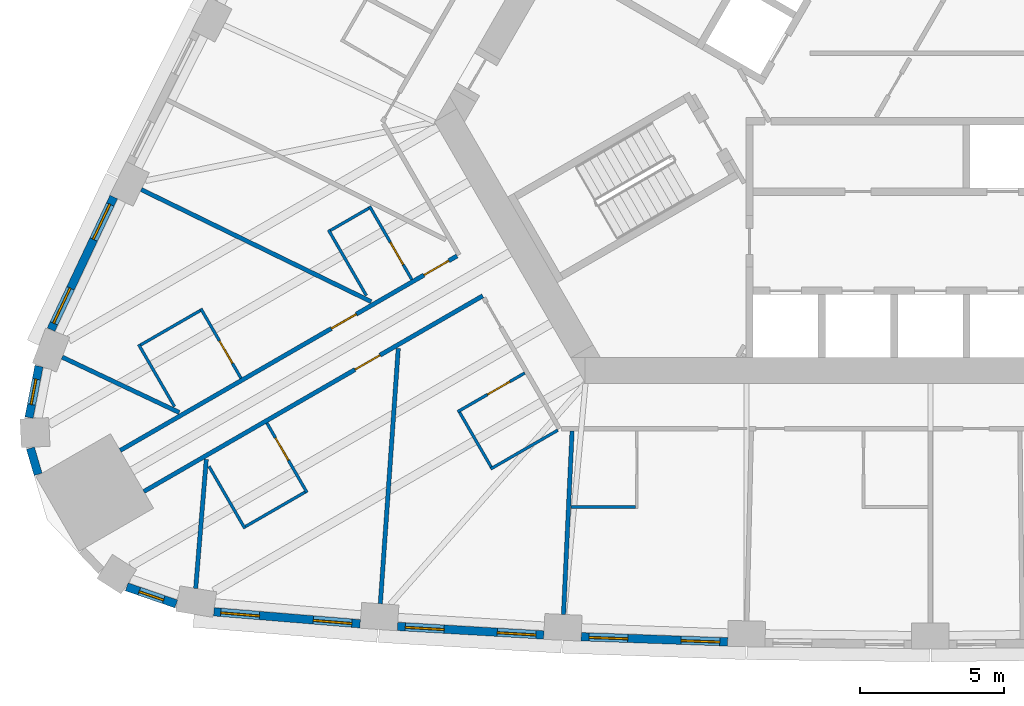
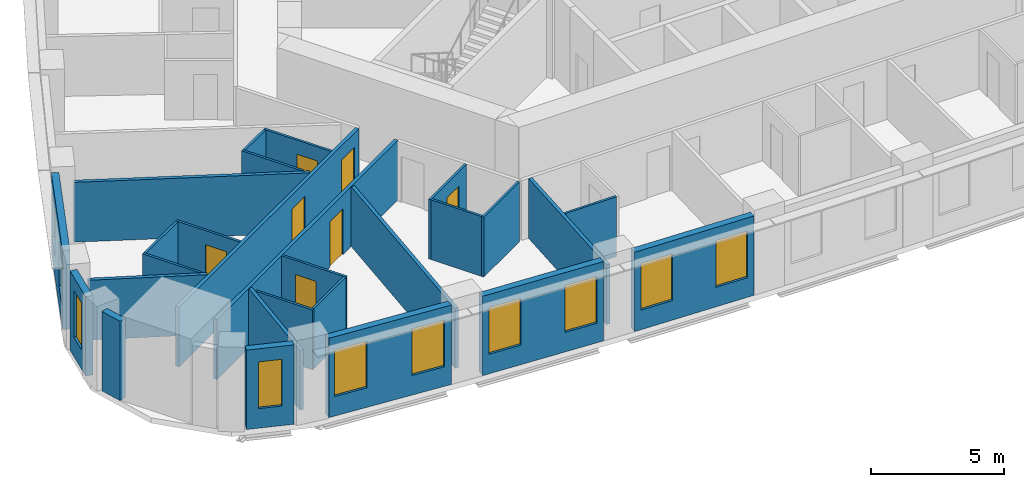
# One storey, part 3 of 13: 27 walls, 10 windows, 7 doors, 17 openings.
"""IFC4 building model written with IfcOpenShell, lengths in metres."""

from ifc_helpers import new_model, si_unit, direction, frame, frame_2d, origin, place, context, subcontext, project, spatial, rectangle, extrude, material, layer, layer_set, type_object, element, fill, save


model = new_model("IFC4")

# Units and contexts
model_context = context("Model", 3, precision=1e-05, world=origin(), true_north=direction((0.0, 1.0)))
body_context = subcontext(model_context, "Body", "Model", "MODEL_VIEW")
ifc_project = project(units=[si_unit("LENGTHUNIT", "METRE"), si_unit("AREAUNIT", "SQUARE_METRE"), si_unit("VOLUMEUNIT", "CUBIC_METRE"), si_unit("PLANEANGLEUNIT", "RADIAN"), si_unit("MASSUNIT", "GRAM", prefix="KILO")], contexts=[model_context])

# Site, building, storey
site_placement = place(None, origin())
site = spatial("IfcSite", under=ifc_project, at=site_placement, CompositionType="ELEMENT")
building_placement = place(site_placement, origin())
building = spatial("IfcBuilding", under=site, at=building_placement, Name="Mestral Congress Tower", CompositionType="ELEMENT")
storey_placement = place(building_placement, frame((0.0, 0.0, 91.5)))
storey = spatial("IfcBuildingStorey", under=building, at=storey_placement, Name="L21", CompositionType="ELEMENT", Elevation=91.5)

# Wall, openings, windows
ifc_material_1 = material(Name="Precast concrete C40/50 with limestone facing", Category="masonry")
ifc_layer_1 = layer(ifc_material_1, 0.2900390625)
ifc_layer_set_1 = layer_set([ifc_layer_1], Name="Precast concrete C40/50 with limestone facing")
wall_type_1 = type_object("IfcWallType", Name="Facade stone wall 290", PredefinedType="SOLIDWALL", material=ifc_layer_set_1)
wall_1_placement = place(storey_placement, frame((-24.9462890625, -20.95361328125, 0.0), z_axis=(0.0, 0.0, 1.0), x_axis=(0.99665273362, -0.081751627308, 0.0)))
wall_1 = element("IfcWall", 1, at=wall_1_placement, inside=storey, type_object=wall_type_1, Name="Facade wall F0-00", PredefinedType="SOLIDWALL", context=body_context, shape_type="SweptSolid", body=[
    extrude(rectangle(XDim=5.106689453125, YDim=0.2900390625, at=frame_2d((2.55322265625, 0.0))), origin(), (0.0, 0.0, 1.0), 3.64990234375),
])
opening_1_placement = place(wall_1_placement, frame((0.240478515625, 0.0, 0.89990234375)))
opening_1 = element("IfcOpeningElement", 2, at=opening_1_placement, cuts=wall_1, Name="Opening W2", PredefinedType="OPENING", context=body_context, shape_type="SweptSolid", body=[
    extrude(rectangle(XDim=1.35009765625, YDim=2.14990234375, at=frame_2d((0.675048828125, 1.074951171875))), frame((0.0, 0.155029296875, 0.0), z_axis=(0.0, -1.0, 0.0), x_axis=(1.0, 0.0, 0.0)), (0.0, 0.0, 1.0), 0.31005859375),
])
opening_2_placement = place(wall_1_placement, frame((3.47119140625, 0.0, 0.89990234375)))
opening_2 = element("IfcOpeningElement", 3, at=opening_2_placement, cuts=wall_1, Name="Opening W2", PredefinedType="OPENING", context=body_context, shape_type="SweptSolid", body=[
    extrude(rectangle(XDim=1.35009765625, YDim=2.14990234375, at=frame_2d((0.675048828125, 1.074951171875))), frame((0.0, 0.155029296875, 0.0), z_axis=(0.0, -1.0, 0.0), x_axis=(1.0, 0.0, 0.0)), (0.0, 0.0, 1.0), 0.31005859375),
])
ifc_material_2 = material(Name="Clear low-emissivity double glazing", Category="glass")
window_type_1 = type_object("IfcWindowType", Name="Facade punched window 1350 x 2150 sill 900", PartitioningType="DOUBLE_PANEL_VERTICAL", PredefinedType="WINDOW", material=ifc_material_2)
window_1_placement = place(opening_1_placement, origin())
window_1 = element("IfcWindow", 4, at=window_1_placement, inside=storey, type_object=window_type_1, Name="Window F0-00a", OverallHeight=2.14990234375, OverallWidth=1.35009765625, PartitioningType="DOUBLE_PANEL_VERTICAL", PredefinedType="WINDOW", context=body_context, shape_type="SweptSolid", body=[
    extrude(rectangle(XDim=1.35009765625, YDim=2.14990234375, at=frame_2d((0.675048828125, 1.074951171875))), frame((0.0, 0.01513671875, 0.0), z_axis=(0.0, -1.0, 0.0), x_axis=(1.0, 0.0, 0.0)), (0.0, 0.0, 1.0), 0.06005859375),
])
fill(opening_1, window_1)
window_2_placement = place(opening_2_placement, origin())
window_2 = element("IfcWindow", 5, at=window_2_placement, inside=storey, type_object=window_type_1, Name="Window F0-00b", OverallHeight=2.14990234375, OverallWidth=1.35009765625, PartitioningType="DOUBLE_PANEL_VERTICAL", PredefinedType="WINDOW", context=body_context, shape_type="SweptSolid", body=[
    extrude(rectangle(XDim=1.35009765625, YDim=2.14990234375, at=frame_2d((0.675048828125, 1.074951171875))), frame((0.0, 0.01513671875, 0.0), z_axis=(0.0, -1.0, 0.0), x_axis=(1.0, 0.0, 0.0)), (0.0, 0.0, 1.0), 0.06005859375),
])
fill(opening_2, window_2)

wall_2_placement = place(storey_placement, frame((-18.553466796875, -21.462890625, 0.0), z_axis=(0.0, 0.0, 1.0), x_axis=(0.998290511436, -0.058447025388, 0.0)))
wall_2 = element("IfcWall", 6, at=wall_2_placement, inside=storey, type_object=wall_type_1, Name="Facade wall F0-01", PredefinedType="SOLIDWALL", context=body_context, shape_type="SweptSolid", body=[
    extrude(rectangle(XDim=5.100341796875, YDim=0.2900390625, at=frame_2d((2.55029296875, 0.0))), origin(), (0.0, 0.0, 1.0), 3.64990234375),
])
opening_3_placement = place(wall_2_placement, frame((0.272705078125, 0.0, 0.89990234375)))
opening_3 = element("IfcOpeningElement", 7, at=opening_3_placement, cuts=wall_2, Name="Opening W2", PredefinedType="OPENING", context=body_context, shape_type="SweptSolid", body=[
    extrude(rectangle(XDim=1.35009765625, YDim=2.14990234375, at=frame_2d((0.675048828125, 1.074951171875))), frame((0.0, 0.155029296875, 0.0), z_axis=(0.0, -1.0, 0.0), x_axis=(1.0, 0.0, 0.0)), (0.0, 0.0, 1.0), 0.31005859375),
])
opening_4_placement = place(wall_2_placement, frame((3.477783203125, 0.0, 0.89990234375)))
opening_4 = element("IfcOpeningElement", 8, at=opening_4_placement, cuts=wall_2, Name="Opening W2", PredefinedType="OPENING", context=body_context, shape_type="SweptSolid", body=[
    extrude(rectangle(XDim=1.35009765625, YDim=2.14990234375, at=frame_2d((0.675048828125, 1.074951171875))), frame((0.0, 0.155029296875, 0.0), z_axis=(0.0, -1.0, 0.0), x_axis=(1.0, 0.0, 0.0)), (0.0, 0.0, 1.0), 0.31005859375),
])
window_3_placement = place(opening_3_placement, origin())
window_3 = element("IfcWindow", 9, at=window_3_placement, inside=storey, type_object=window_type_1, Name="Window F0-01a", OverallHeight=2.14990234375, OverallWidth=1.35009765625, PartitioningType="DOUBLE_PANEL_VERTICAL", PredefinedType="WINDOW", context=body_context, shape_type="SweptSolid", body=[
    extrude(rectangle(XDim=1.35009765625, YDim=2.14990234375, at=frame_2d((0.675048828125, 1.074951171875))), frame((0.0, 0.01513671875, 0.0), z_axis=(0.0, -1.0, 0.0), x_axis=(1.0, 0.0, 0.0)), (0.0, 0.0, 1.0), 0.06005859375),
])
fill(opening_3, window_3)
window_4_placement = place(opening_4_placement, origin())
window_4 = element("IfcWindow", 10, at=window_4_placement, inside=storey, type_object=window_type_1, Name="Window F0-01b", OverallHeight=2.14990234375, OverallWidth=1.35009765625, PartitioningType="DOUBLE_PANEL_VERTICAL", PredefinedType="WINDOW", context=body_context, shape_type="SweptSolid", body=[
    extrude(rectangle(XDim=1.35009765625, YDim=2.14990234375, at=frame_2d((0.675048828125, 1.074951171875))), frame((0.0, 0.01513671875, 0.0), z_axis=(0.0, -1.0, 0.0), x_axis=(1.0, 0.0, 0.0)), (0.0, 0.0, 1.0), 0.06005859375),
])
fill(opening_4, window_4)

wall_3_placement = place(storey_placement, frame((-12.15673828125, -21.822021484375, 0.0), z_axis=(0.0, 0.0, 1.0), x_axis=(0.999385993957, -0.035037623812, 0.0)))
wall_3 = element("IfcWall", 11, at=wall_3_placement, inside=storey, type_object=wall_type_1, Name="Facade wall F0-02", PredefinedType="SOLIDWALL", context=body_context, shape_type="SweptSolid", body=[
    extrude(rectangle(XDim=5.1005859375, YDim=0.2900390625, at=frame_2d((2.55029296875, 0.0))), origin(), (0.0, 0.0, 1.0), 3.64990234375),
])
opening_5_placement = place(wall_3_placement, frame((0.272705078125, 0.0, 0.89990234375)))
opening_5 = element("IfcOpeningElement", 12, at=opening_5_placement, cuts=wall_3, Name="Opening W2", PredefinedType="OPENING", context=body_context, shape_type="SweptSolid", body=[
    extrude(rectangle(XDim=1.35009765625, YDim=2.14990234375, at=frame_2d((0.675048828125, 1.074951171875))), frame((0.0, 0.155029296875, 0.0), z_axis=(0.0, -1.0, 0.0), x_axis=(1.0, 0.0, 0.0)), (0.0, 0.0, 1.0), 0.31005859375),
])
opening_6_placement = place(wall_3_placement, frame((3.477783203125, 0.0, 0.89990234375)))
opening_6 = element("IfcOpeningElement", 13, at=opening_6_placement, cuts=wall_3, Name="Opening W2", PredefinedType="OPENING", context=body_context, shape_type="SweptSolid", body=[
    extrude(rectangle(XDim=1.35009765625, YDim=2.14990234375, at=frame_2d((0.675048828125, 1.074951171875))), frame((0.0, 0.155029296875, 0.0), z_axis=(0.0, -1.0, 0.0), x_axis=(1.0, 0.0, 0.0)), (0.0, 0.0, 1.0), 0.31005859375),
])
window_5_placement = place(opening_5_placement, origin())
window_5 = element("IfcWindow", 14, at=window_5_placement, inside=storey, type_object=window_type_1, Name="Window F0-02a", OverallHeight=2.14990234375, OverallWidth=1.35009765625, PartitioningType="DOUBLE_PANEL_VERTICAL", PredefinedType="WINDOW", context=body_context, shape_type="SweptSolid", body=[
    extrude(rectangle(XDim=1.35009765625, YDim=2.14990234375, at=frame_2d((0.675048828125, 1.074951171875))), frame((0.0, 0.01513671875, 0.0), z_axis=(0.0, -1.0, 0.0), x_axis=(1.0, 0.0, 0.0)), (0.0, 0.0, 1.0), 0.06005859375),
])
fill(opening_5, window_5)
window_6_placement = place(opening_6_placement, origin())
window_6 = element("IfcWindow", 15, at=window_6_placement, inside=storey, type_object=window_type_1, Name="Window F0-02b", OverallHeight=2.14990234375, OverallWidth=1.35009765625, PartitioningType="DOUBLE_PANEL_VERTICAL", PredefinedType="WINDOW", context=body_context, shape_type="SweptSolid", body=[
    extrude(rectangle(XDim=1.35009765625, YDim=2.14990234375, at=frame_2d((0.675048828125, 1.074951171875))), frame((0.0, 0.01513671875, 0.0), z_axis=(0.0, -1.0, 0.0), x_axis=(1.0, 0.0, 0.0)), (0.0, 0.0, 1.0), 0.06005859375),
])
fill(opening_6, window_6)

wall_4_placement = place(storey_placement, frame((-28.436279296875, -6.5107421875, 0.0), z_axis=(0.0, 0.0, 1.0), x_axis=(-0.427543726596, -0.903994669148, 0.0)))
wall_4 = element("IfcWall", 16, at=wall_4_placement, inside=storey, type_object=wall_type_1, Name="Facade wall F2-07", PredefinedType="SOLIDWALL", context=body_context, shape_type="SweptSolid", body=[
    extrude(rectangle(XDim=5.106689453125, YDim=0.2900390625, at=frame_2d((2.55322265625, 0.0))), origin(), (0.0, 0.0, 1.0), 3.64990234375),
])
opening_7_placement = place(wall_4_placement, frame((0.285400390625, 0.0, 0.89990234375)))
opening_7 = element("IfcOpeningElement", 17, at=opening_7_placement, cuts=wall_4, Name="Opening W2", PredefinedType="OPENING", context=body_context, shape_type="SweptSolid", body=[
    extrude(rectangle(XDim=1.35009765625, YDim=2.14990234375, at=frame_2d((0.675048828125, 1.074951171875))), frame((0.0, 0.155029296875, 0.0), z_axis=(0.0, -1.0, 0.0), x_axis=(1.0, 0.0, 0.0)), (0.0, 0.0, 1.0), 0.31005859375),
])
opening_8_placement = place(wall_4_placement, frame((3.516357421875, 0.0, 0.89990234375)))
opening_8 = element("IfcOpeningElement", 18, at=opening_8_placement, cuts=wall_4, Name="Opening W2", PredefinedType="OPENING", context=body_context, shape_type="SweptSolid", body=[
    extrude(rectangle(XDim=1.35009765625, YDim=2.14990234375, at=frame_2d((0.675048828125, 1.074951171875))), frame((0.0, 0.155029296875, 0.0), z_axis=(0.0, -1.0, 0.0), x_axis=(1.0, 0.0, 0.0)), (0.0, 0.0, 1.0), 0.31005859375),
])
window_7_placement = place(opening_7_placement, origin())
window_7 = element("IfcWindow", 19, at=window_7_placement, inside=storey, type_object=window_type_1, Name="Window F2-07a", OverallHeight=2.14990234375, OverallWidth=1.35009765625, PartitioningType="DOUBLE_PANEL_VERTICAL", PredefinedType="WINDOW", context=body_context, shape_type="SweptSolid", body=[
    extrude(rectangle(XDim=1.35009765625, YDim=2.14990234375, at=frame_2d((0.675048828125, 1.074951171875))), frame((0.0, 0.01513671875, 0.0), z_axis=(0.0, -1.0, 0.0), x_axis=(1.0, 0.0, 0.0)), (0.0, 0.0, 1.0), 0.06005859375),
])
fill(opening_7, window_7)
window_8_placement = place(opening_8_placement, origin())
window_8 = element("IfcWindow", 20, at=window_8_placement, inside=storey, type_object=window_type_1, Name="Window F2-07b", OverallHeight=2.14990234375, OverallWidth=1.35009765625, PartitioningType="DOUBLE_PANEL_VERTICAL", PredefinedType="WINDOW", context=body_context, shape_type="SweptSolid", body=[
    extrude(rectangle(XDim=1.35009765625, YDim=2.14990234375, at=frame_2d((0.675048828125, 1.074951171875))), frame((0.0, 0.01513671875, 0.0), z_axis=(0.0, -1.0, 0.0), x_axis=(1.0, 0.0, 0.0)), (0.0, 0.0, 1.0), 0.06005859375),
])
fill(opening_8, window_8)

# Wall, opening, window
wall_5_placement = place(storey_placement, frame((-31.0390625, -12.403076171875, 0.0), z_axis=(0.0, 0.0, 1.0), x_axis=(-0.190409913989, -0.981704672829, 0.0)))
wall_5 = element("IfcWall", 21, at=wall_5_placement, inside=storey, type_object=wall_type_1, Name="Facade wall K2-0", PredefinedType="SOLIDWALL", context=body_context, shape_type="SweptSolid", body=[
    extrude(rectangle(XDim=1.8193359375, YDim=0.2900390625, at=frame_2d((0.90966796875, 0.0))), origin(), (0.0, 0.0, 1.0), 3.64990234375),
])
opening_9_placement = place(wall_5_placement, frame((0.459716796875, 0.0, 0.89990234375)))
opening_9 = element("IfcOpeningElement", 22, at=opening_9_placement, cuts=wall_5, Name="Opening W3", PredefinedType="OPENING", context=body_context, shape_type="SweptSolid", body=[
    extrude(rectangle(XDim=0.89990234375, YDim=2.14990234375, at=frame_2d((0.449951171875, 1.074951171875))), frame((0.0, 0.155029296875, 0.0), z_axis=(0.0, -1.0, 0.0), x_axis=(1.0, 0.0, 0.0)), (0.0, 0.0, 1.0), 0.31005859375),
])
window_type_2 = type_object("IfcWindowType", Name="Facade punched window 900 x 2150 sill 900", PartitioningType="SINGLE_PANEL", PredefinedType="WINDOW", material=ifc_material_2)
window_9_placement = place(opening_9_placement, origin())
window_9 = element("IfcWindow", 23, at=window_9_placement, inside=storey, type_object=window_type_2, Name="Window K2-0", OverallHeight=2.14990234375, OverallWidth=0.89990234375, PartitioningType="SINGLE_PANEL", PredefinedType="WINDOW", context=body_context, shape_type="SweptSolid", body=[
    extrude(rectangle(XDim=0.89990234375, YDim=2.14990234375, at=frame_2d((0.449951171875, 1.074951171875))), frame((0.0, 0.01513671875, 0.0), z_axis=(0.0, -1.0, 0.0), x_axis=(1.0, 0.0, 0.0)), (0.0, 0.0, 1.0), 0.06005859375),
])
fill(opening_9, window_9)

# Wall
wall_6_placement = place(storey_placement, frame((-31.335693359375, -15.25634765625, 0.0), z_axis=(0.0, 0.0, 1.0), x_axis=(0.281454582132, -0.95957455062, 0.0)))
element("IfcWall", 24, at=wall_6_placement, inside=storey, type_object=wall_type_1, Name="Facade wall K2-1", PredefinedType="SOLIDWALL", context=body_context, shape_type="SweptSolid", body=[
    extrude(rectangle(XDim=0.947265625, YDim=0.2900390625, at=frame_2d((0.4736328125, 0.0))), origin(), (0.0, 0.0, 1.0), 3.64990234375),
])

# Wall, opening, window
wall_7_placement = place(storey_placement, frame((-27.98095703125, -20.086181640625, 0.0), z_axis=(0.0, 0.0, 1.0), x_axis=(0.945385815453, -0.325953462844, 0.0)))
wall_7 = element("IfcWall", 25, at=wall_7_placement, inside=storey, type_object=wall_type_1, Name="Facade wall K2-3", PredefinedType="SOLIDWALL", context=body_context, shape_type="SweptSolid", body=[
    extrude(rectangle(XDim=1.8193359375, YDim=0.2900390625, at=frame_2d((0.90966796875, 0.0))), origin(), (0.0, 0.0, 1.0), 3.64990234375),
])
opening_10_placement = place(wall_7_placement, frame((0.459716796875, 0.0, 0.89990234375)))
opening_10 = element("IfcOpeningElement", 26, at=opening_10_placement, cuts=wall_7, Name="Opening W3", PredefinedType="OPENING", context=body_context, shape_type="SweptSolid", body=[
    extrude(rectangle(XDim=0.89990234375, YDim=2.14990234375, at=frame_2d((0.449951171875, 1.074951171875))), frame((0.0, 0.155029296875, 0.0), z_axis=(0.0, -1.0, 0.0), x_axis=(1.0, 0.0, 0.0)), (0.0, 0.0, 1.0), 0.31005859375),
])
window_10_placement = place(opening_10_placement, origin())
window_10 = element("IfcWindow", 27, at=window_10_placement, inside=storey, type_object=window_type_2, Name="Window K2-3", OverallHeight=2.14990234375, OverallWidth=0.89990234375, PartitioningType="SINGLE_PANEL", PredefinedType="WINDOW", context=body_context, shape_type="SweptSolid", body=[
    extrude(rectangle(XDim=0.89990234375, YDim=2.14990234375, at=frame_2d((0.449951171875, 1.074951171875))), frame((0.0, 0.01513671875, 0.0), z_axis=(0.0, -1.0, 0.0), x_axis=(1.0, 0.0, 0.0)), (0.0, 0.0, 1.0), 0.06005859375),
])
fill(opening_10, window_10)

# Wall, opening, door
ifc_material_3 = material(Name="Gypsum board partition on metal studs with mineral wool", Category="composite")
ifc_layer_2 = layer(ifc_material_3, 0.10009765625)
ifc_layer_set_2 = layer_set([ifc_layer_2], Name="Gypsum board partition on metal studs with mineral wool")
wall_type_2 = type_object("IfcWallType", Name="Hotel partition wall 100", PredefinedType="PARTITIONING", material=ifc_layer_set_2)
wall_8_placement = place(storey_placement, frame((-21.703857421875, -16.802978515625, 0.0), z_axis=(0.0, 0.0, 1.0), x_axis=(-0.500049511043, 0.865996816683, 0.0)))
wall_8 = element("IfcWall", 28, at=wall_8_placement, inside=storey, type_object=wall_type_2, Name="L21-h-pod01a", PredefinedType="PARTITIONING", context=body_context, shape_type="SweptSolid", body=[
    extrude(rectangle(XDim=2.800048828125, YDim=0.10009765625, at=frame_2d((1.39990234375, 0.0))), origin(), (0.0, 0.0, 1.0), 2.75),
])
opening_11_placement = place(wall_8_placement, frame((1.300048828125, 0.0, 0.0)))
opening_11 = element("IfcOpeningElement", 29, at=opening_11_placement, cuts=wall_8, Name="Opening H06-002", PredefinedType="OPENING", context=body_context, shape_type="SweptSolid", body=[
    extrude(rectangle(XDim=0.89990234375, YDim=2.10009765625, at=frame_2d((0.449951171875, 1.050048828125))), frame((0.0, 0.06005859375, 0.0), z_axis=(0.0, -1.0, 0.0), x_axis=(1.0, 0.0, 0.0)), (0.0, 0.0, 1.0), 0.1201171875),
])
ifc_material_4 = material(Name="Timber veneer door leaf in timber frame", Category="wood")
door_type_1 = type_object("IfcDoorType", Name="Bathroom door 900", OperationType="SINGLE_SWING_LEFT", PredefinedType="DOOR", material=ifc_material_4)
door_1_placement = place(opening_11_placement, origin())
door_1 = element("IfcDoor", 30, at=door_1_placement, inside=storey, type_object=door_type_1, Name="L21-h-d002", OperationType="SINGLE_SWING_LEFT", OverallHeight=2.10009765625, OverallWidth=0.89990234375, PredefinedType="DOOR", context=body_context, shape_type="SweptSolid", body=[
    extrude(rectangle(XDim=0.89990234375, YDim=2.10009765625, at=frame_2d((0.449951171875, 1.050048828125))), frame((0.0, 0.02490234375, 0.0), z_axis=(0.0, -1.0, 0.0), x_axis=(1.0, 0.0, 0.0)), (0.0, 0.0, 1.0), 0.050048828125),
])
fill(opening_11, door_1)

# Walls
wall_9_placement = place(storey_placement, frame((-21.772216796875, -16.784912109375, 0.0), z_axis=(0.0, 0.0, 1.0), x_axis=(-0.866024647952, -0.500001309137, 0.0)))
element("IfcWall", 31, at=wall_9_placement, inside=storey, type_object=wall_type_2, Name="L21-h-pod01b", PredefinedType="PARTITIONING", context=body_context, shape_type="SweptSolid", body=[
    extrude(rectangle(XDim=2.39990234375, YDim=0.10009765625, at=frame_2d((1.199951171875, 0.0))), origin(), (0.0, 0.0, 1.0), 2.75),
])
wall_10_placement = place(storey_placement, frame((-25.118896484375, -15.88818359375, 0.0), z_axis=(0.0, 0.0, 1.0), x_axis=(0.500046524342, -0.865998541277, 0.0)))
element("IfcWall", 32, at=wall_10_placement, inside=storey, type_object=wall_type_2, Name="L21-h-pod01c", PredefinedType="PARTITIONING", context=body_context, shape_type="SweptSolid", body=[
    extrude(rectangle(XDim=2.499755859375, YDim=0.10009765625, at=frame_2d((1.25, 0.0))), origin(), (0.0, 0.0, 1.0), 2.75),
])

# Wall, opening, door
wall_11_placement = place(storey_placement, frame((-14.123291015625, -12.637939453125, 0.0), z_axis=(0.0, 0.0, 1.0), x_axis=(-0.86599734893, -0.500048589285, 0.0)))
wall_11 = element("IfcWall", 33, at=wall_11_placement, inside=storey, type_object=wall_type_2, Name="L21-h-pod02a", PredefinedType="PARTITIONING", context=body_context, shape_type="SweptSolid", body=[
    extrude(rectangle(XDim=2.699951171875, YDim=0.10009765625, at=frame_2d((1.35009765625, 0.0))), origin(), (0.0, 0.0, 1.0), 2.75),
])
opening_12_placement = place(wall_11_placement, frame((0.60009765625, 0.0, 0.0)))
opening_12 = element("IfcOpeningElement", 34, at=opening_12_placement, cuts=wall_11, Name="Opening H06-004", PredefinedType="OPENING", context=body_context, shape_type="SweptSolid", body=[
    extrude(rectangle(XDim=0.89990234375, YDim=2.10009765625, at=frame_2d((0.449951171875, 1.050048828125))), frame((0.0, 0.06005859375, 0.0), z_axis=(0.0, -1.0, 0.0), x_axis=(1.0, 0.0, 0.0)), (0.0, 0.0, 1.0), 0.1201171875),
])
door_2_placement = place(opening_12_placement, origin())
door_2 = element("IfcDoor", 35, at=door_2_placement, inside=storey, type_object=door_type_1, Name="L21-h-d004", OperationType="SINGLE_SWING_LEFT", OverallHeight=2.10009765625, OverallWidth=0.89990234375, PredefinedType="DOOR", context=body_context, shape_type="SweptSolid", body=[
    extrude(rectangle(XDim=0.89990234375, YDim=2.10009765625, at=frame_2d((0.449951171875, 1.050048828125))), frame((0.0, 0.02490234375, 0.0), z_axis=(0.0, -1.0, 0.0), x_axis=(1.0, 0.0, 0.0)), (0.0, 0.0, 1.0), 0.050048828125),
])
fill(opening_12, door_2)

# Walls
wall_12_placement = place(storey_placement, frame((-16.39306640625, -14.00634765625, 0.0), z_axis=(0.0, 0.0, 1.0), x_axis=(0.499946605688, -0.86605622881, 0.0)))
element("IfcWall", 36, at=wall_12_placement, inside=storey, type_object=wall_type_2, Name="L21-h-pod02b", PredefinedType="PARTITIONING", context=body_context, shape_type="SweptSolid", body=[
    extrude(rectangle(XDim=2.199951171875, YDim=0.10009765625, at=frame_2d((1.10009765625, 0.0))), origin(), (0.0, 0.0, 1.0), 2.75),
])
wall_13_placement = place(storey_placement, frame((-12.97314453125, -14.6298828125, 0.0), z_axis=(0.0, 0.0, 1.0), x_axis=(-0.866036505625, -0.499980770555, 0.0)))
element("IfcWall", 37, at=wall_13_placement, inside=storey, type_object=wall_type_2, Name="L21-h-pod02c", PredefinedType="PARTITIONING", context=body_context, shape_type="SweptSolid", body=[
    extrude(rectangle(XDim=2.69970703125, YDim=0.10009765625, at=frame_2d((1.349853515625, 0.0))), origin(), (0.0, 0.0, 1.0), 2.75),
])
wall_14_placement = place(storey_placement, frame((-10.272216796875, -17.300048828125, 0.0), z_axis=(0.0, 0.0, 1.0), x_axis=(-1.0, 0.0, 0.0)))
element("IfcWall", 38, at=wall_14_placement, inside=storey, type_object=wall_type_2, Name="L21-h-pod03b", PredefinedType="PARTITIONING", context=body_context, shape_type="SweptSolid", body=[
    extrude(rectangle(XDim=2.25, YDim=0.10009765625, at=frame_2d((1.125, 0.0))), origin(), (0.0, 0.0, 1.0), 2.75),
])

# Wall, opening, door
wall_15_placement = place(storey_placement, frame((-18.05517578125, -9.385009765625, 0.0), z_axis=(0.0, 0.0, 1.0), x_axis=(-0.499939757307, 0.866060182126, 0.0)))
wall_15 = element("IfcWall", 39, at=wall_15_placement, inside=storey, type_object=wall_type_2, Name="L21-h-pod26a", PredefinedType="PARTITIONING", context=body_context, shape_type="SweptSolid", body=[
    extrude(rectangle(XDim=2.949951171875, YDim=0.10009765625, at=frame_2d((1.47509765625, 0.0))), origin(), (0.0, 0.0, 1.0), 2.75),
])
opening_13_placement = place(wall_15_placement, frame((0.60009765625, 0.0, 0.0)))
opening_13 = element("IfcOpeningElement", 40, at=opening_13_placement, cuts=wall_15, Name="Opening H06-049", PredefinedType="OPENING", context=body_context, shape_type="SweptSolid", body=[
    extrude(rectangle(XDim=0.89990234375, YDim=2.10009765625, at=frame_2d((0.449951171875, 1.050048828125))), frame((0.0, 0.06005859375, 0.0), z_axis=(0.0, -1.0, 0.0), x_axis=(1.0, 0.0, 0.0)), (0.0, 0.0, 1.0), 0.1201171875),
])
door_3_placement = place(opening_13_placement, origin())
door_3 = element("IfcDoor", 41, at=door_3_placement, inside=storey, type_object=door_type_1, Name="L21-h-d049", OperationType="SINGLE_SWING_LEFT", OverallHeight=2.10009765625, OverallWidth=0.89990234375, PredefinedType="DOOR", context=body_context, shape_type="SweptSolid", body=[
    extrude(rectangle(XDim=0.89990234375, YDim=2.10009765625, at=frame_2d((0.449951171875, 1.050048828125))), frame((0.0, 0.02490234375, 0.0), z_axis=(0.0, -1.0, 0.0), x_axis=(1.0, 0.0, 0.0)), (0.0, 0.0, 1.0), 0.050048828125),
])
fill(opening_13, door_3)

# Walls
wall_16_placement = place(storey_placement, frame((-19.548583984375, -6.8984375, 0.0), z_axis=(0.0, 0.0, 1.0), x_axis=(-0.866043940782, -0.499967891604, 0.0)))
element("IfcWall", 42, at=wall_16_placement, inside=storey, type_object=wall_type_2, Name="L21-h-pod26b", PredefinedType="PARTITIONING", context=body_context, shape_type="SweptSolid", body=[
    extrude(rectangle(XDim=1.5498046875, YDim=0.10009765625, at=frame_2d((0.77490234375, 0.0))), origin(), (0.0, 0.0, 1.0), 2.75),
])
wall_17_placement = place(storey_placement, frame((-19.63916015625, -9.94140625, 0.0), z_axis=(0.0, 0.0, 1.0), x_axis=(-0.499938597367, 0.866060851709, 0.0)))
element("IfcWall", 43, at=wall_17_placement, inside=storey, type_object=wall_type_2, Name="L21-h-pod26c", PredefinedType="PARTITIONING", context=body_context, shape_type="SweptSolid", body=[
    extrude(rectangle(XDim=2.639892578125, YDim=0.10009765625, at=frame_2d((1.31982421875, 0.0))), origin(), (0.0, 0.0, 1.0), 2.75),
])

# Wall, opening, door
wall_18_placement = place(storey_placement, frame((-24.00390625, -12.819580078125, 0.0), z_axis=(0.0, 0.0, 1.0), x_axis=(-0.500011755427, 0.866018616679, 0.0)))
wall_18 = element("IfcWall", 44, at=wall_18_placement, inside=storey, type_object=wall_type_2, Name="L21-h-pod27a", PredefinedType="PARTITIONING", context=body_context, shape_type="SweptSolid", body=[
    extrude(rectangle(XDim=2.80029296875, YDim=0.10009765625, at=frame_2d((1.400146484375, 0.0))), origin(), (0.0, 0.0, 1.0), 2.75),
])
opening_14_placement = place(wall_18_placement, frame((0.60009765625, 0.0, 0.0)))
opening_14 = element("IfcOpeningElement", 45, at=opening_14_placement, cuts=wall_18, Name="Opening H06-051", PredefinedType="OPENING", context=body_context, shape_type="SweptSolid", body=[
    extrude(rectangle(XDim=0.89990234375, YDim=2.10009765625, at=frame_2d((0.449951171875, 1.050048828125))), frame((0.0, 0.06005859375, 0.0), z_axis=(0.0, -1.0, 0.0), x_axis=(1.0, 0.0, 0.0)), (0.0, 0.0, 1.0), 0.1201171875),
])
door_4_placement = place(opening_14_placement, origin())
door_4 = element("IfcDoor", 46, at=door_4_placement, inside=storey, type_object=door_type_1, Name="L21-h-d051", OperationType="SINGLE_SWING_RIGHT", OverallHeight=2.10009765625, OverallWidth=0.89990234375, PredefinedType="DOOR", context=body_context, shape_type="SweptSolid", body=[
    extrude(rectangle(XDim=0.89990234375, YDim=2.10009765625, at=frame_2d((0.449951171875, 1.050048828125))), frame((0.0, 0.02490234375, 0.0), z_axis=(0.0, -1.0, 0.0), x_axis=(1.0, 0.0, 0.0)), (0.0, 0.0, 1.0), 0.050048828125),
])
fill(opening_14, door_4)

# Walls
wall_19_placement = place(storey_placement, frame((-25.42236328125, -10.462890625, 0.0), z_axis=(0.0, 0.0, 1.0), x_axis=(-0.866024647952, -0.500001309137, 0.0)))
element("IfcWall", 47, at=wall_19_placement, inside=storey, type_object=wall_type_2, Name="L21-h-pod27b", PredefinedType="PARTITIONING", context=body_context, shape_type="SweptSolid", body=[
    extrude(rectangle(XDim=2.39990234375, YDim=0.10009765625, at=frame_2d((1.199951171875, 0.0))), origin(), (0.0, 0.0, 1.0), 2.75),
])
wall_20_placement = place(storey_placement, frame((-26.319091796875, -13.809814453125, 0.0), z_axis=(0.0, 0.0, 1.0), x_axis=(-0.499961950354, 0.866047370643, 0.0)))
element("IfcWall", 48, at=wall_20_placement, inside=storey, type_object=wall_type_2, Name="L21-h-pod27c", PredefinedType="PARTITIONING", context=body_context, shape_type="SweptSolid", body=[
    extrude(rectangle(XDim=2.500244140625, YDim=0.10009765625, at=frame_2d((1.25, 0.0))), origin(), (0.0, 0.0, 1.0), 2.75),
])

# Wall, openings, doors
ifc_layer_3 = layer(ifc_material_3, 0.14990234375)
ifc_layer_set_3 = layer_set([ifc_layer_3], Name="Gypsum board partition on metal studs with mineral wool")
wall_type_3 = type_object("IfcWallType", Name="Hotel partition wall 150", PredefinedType="PARTITIONING", material=ifc_layer_set_3)
wall_21_placement = place(storey_placement, frame((-28.210693359375, -15.334716796875, 0.0), z_axis=(0.0, 0.0, 1.0), x_axis=(0.866025884867, 0.49999916674, 0.0)))
wall_21 = element("IfcWall", 49, at=wall_21_placement, inside=storey, type_object=wall_type_3, Name="L21-h-cw10", PredefinedType="PARTITIONING", context=body_context, shape_type="SweptSolid", body=[
    extrude(rectangle(XDim=13.54345703125, YDim=0.14990234375, at=frame_2d((6.771728515625, 0.0))), origin(), (0.0, 0.0, 1.0), 2.75),
])
opening_15_placement = place(wall_21_placement, frame((12.213623046875, 0.0, 0.0)))
opening_15 = element("IfcOpeningElement", 50, at=opening_15_placement, cuts=wall_21, Name="Opening H06-048", PredefinedType="OPENING", context=body_context, shape_type="SweptSolid", body=[
    extrude(rectangle(XDim=1.0, YDim=2.10009765625, at=frame_2d((0.5, 1.050048828125))), frame((0.0, 0.0849609375, 0.0), z_axis=(0.0, -1.0, 0.0), x_axis=(1.0, 0.0, 0.0)), (0.0, 0.0, 1.0), 0.169921875),
])
opening_16_placement = place(wall_21_placement, frame((8.48828125, 0.0, 0.0)))
opening_16 = element("IfcOpeningElement", 51, at=opening_16_placement, cuts=wall_21, Name="Opening H06-050", PredefinedType="OPENING", context=body_context, shape_type="SweptSolid", body=[
    extrude(rectangle(XDim=1.0, YDim=2.10009765625, at=frame_2d((0.5, 1.050048828125))), frame((0.0, 0.0849609375, 0.0), z_axis=(0.0, -1.0, 0.0), x_axis=(1.0, 0.0, 0.0)), (0.0, 0.0, 1.0), 0.169921875),
])
ifc_material_5 = material(Name="Timber veneer door leaf in metal frame", Category="wood")
door_type_2 = type_object("IfcDoorType", Name="Guest room entrance door 1000", OperationType="SINGLE_SWING_LEFT", PredefinedType="DOOR", material=ifc_material_5)
door_5_placement = place(opening_15_placement, origin())
door_5 = element("IfcDoor", 52, at=door_5_placement, inside=storey, type_object=door_type_2, Name="L21-h-d048", OperationType="SINGLE_SWING_RIGHT", OverallHeight=2.10009765625, OverallWidth=1.0, PredefinedType="DOOR", context=body_context, shape_type="SweptSolid", body=[
    extrude(rectangle(XDim=1.0, YDim=2.10009765625, at=frame_2d((0.5, 1.050048828125))), frame((0.0, 0.02490234375, 0.0), z_axis=(0.0, -1.0, 0.0), x_axis=(1.0, 0.0, 0.0)), (0.0, 0.0, 1.0), 0.050048828125),
])
fill(opening_15, door_5)
door_6_placement = place(opening_16_placement, origin())
door_6 = element("IfcDoor", 53, at=door_6_placement, inside=storey, type_object=door_type_2, Name="L21-h-d050", OperationType="SINGLE_SWING_RIGHT", OverallHeight=2.10009765625, OverallWidth=1.0, PredefinedType="DOOR", context=body_context, shape_type="SweptSolid", body=[
    extrude(rectangle(XDim=1.0, YDim=2.10009765625, at=frame_2d((0.5, 1.050048828125))), frame((0.0, 0.02490234375, 0.0), z_axis=(0.0, -1.0, 0.0), x_axis=(1.0, 0.0, 0.0)), (0.0, 0.0, 1.0), 0.050048828125),
])
fill(opening_16, door_6)

# Wall, opening, door
wall_22_placement = place(storey_placement, frame((-15.58740234375, -9.951904296875, 0.0), z_axis=(0.0, 0.0, 1.0), x_axis=(-0.866017869832, -0.500013048961, 0.0)))
wall_22 = element("IfcWall", 54, at=wall_22_placement, inside=storey, type_object=wall_type_3, Name="L21-h-cw11", PredefinedType="PARTITIONING", context=body_context, shape_type="SweptSolid", body=[
    extrude(rectangle(XDim=13.623779296875, YDim=0.14990234375, at=frame_2d((6.81201171875, 0.0))), origin(), (0.0, 0.0, 1.0), 2.75),
])
opening_17_placement = place(wall_22_placement, frame((4.1337890625, 0.0, 0.0)))
opening_17 = element("IfcOpeningElement", 55, at=opening_17_placement, cuts=wall_22, Name="Opening H06-001", PredefinedType="OPENING", context=body_context, shape_type="SweptSolid", body=[
    extrude(rectangle(XDim=1.0, YDim=2.10009765625, at=frame_2d((0.5, 1.050048828125))), frame((0.0, 0.0849609375, 0.0), z_axis=(0.0, -1.0, 0.0), x_axis=(1.0, 0.0, 0.0)), (0.0, 0.0, 1.0), 0.169921875),
])
door_7_placement = place(opening_17_placement, origin())
door_7 = element("IfcDoor", 56, at=door_7_placement, inside=storey, type_object=door_type_2, Name="L21-h-d001", OperationType="SINGLE_SWING_LEFT", OverallHeight=2.10009765625, OverallWidth=1.0, PredefinedType="DOOR", context=body_context, shape_type="SweptSolid", body=[
    extrude(rectangle(XDim=1.0, YDim=2.10009765625, at=frame_2d((0.5, 1.050048828125))), frame((0.0, 0.02490234375, 0.0), z_axis=(0.0, -1.0, 0.0), x_axis=(1.0, 0.0, 0.0)), (0.0, 0.0, 1.0), 0.050048828125),
])
fill(opening_17, door_7)

# Walls
wall_23_placement = place(storey_placement, frame((-30.23095703125, -12.08544921875, 0.0), z_axis=(0.0, 0.0, 1.0), x_axis=(0.904001132572, -0.427530060122, 0.0)))
element("IfcWall", 57, at=wall_23_placement, inside=storey, type_object=wall_type_3, Name="L21-h-pw01", PredefinedType="PARTITIONING", context=body_context, shape_type="SweptSolid", body=[
    extrude(rectangle(XDim=4.509521484375, YDim=0.14990234375, at=frame_2d((2.2548828125, 0.0))), origin(), (0.0, 0.0, 1.0), 2.75),
])
wall_24_placement = place(storey_placement, frame((-25.581787109375, -20.13818359375, 0.0), z_axis=(0.0, 0.0, 1.0), x_axis=(0.081746132986, 0.996653184283, 0.0)))
element("IfcWall", 58, at=wall_24_placement, inside=storey, type_object=wall_type_3, Name="L21-h-pw02", PredefinedType="PARTITIONING", context=body_context, shape_type="SweptSolid", body=[
    extrude(rectangle(XDim=4.509765625, YDim=0.14990234375, at=frame_2d((2.2548828125, 0.0))), origin(), (0.0, 0.0, 1.0), 2.75),
])
wall_25_placement = place(storey_placement, frame((-27.478515625, -6.2509765625, 0.0), z_axis=(0.0, 0.0, 1.0), x_axis=(0.898945877276, -0.438059710231, 0.0)))
element("IfcWall", 59, at=wall_25_placement, inside=storey, type_object=wall_type_3, Name="L21-h-pw03", PredefinedType="PARTITIONING", context=body_context, shape_type="SweptSolid", body=[
    extrude(rectangle(XDim=8.909423828125, YDim=0.14990234375, at=frame_2d((4.45458984375, 0.0))), origin(), (0.0, 0.0, 1.0), 2.75),
])
wall_26_placement = place(storey_placement, frame((-19.152587890625, -20.67138671875, 0.0), z_axis=(0.0, 0.0, 1.0), x_axis=(0.070070736723, 0.997542025107, 0.0)))
element("IfcWall", 60, at=wall_26_placement, inside=storey, type_object=wall_type_3, Name="L21-h-pw04", PredefinedType="PARTITIONING", context=body_context, shape_type="SweptSolid", body=[
    extrude(rectangle(XDim=8.9091796875, YDim=0.14990234375, at=frame_2d((4.45458984375, 0.0))), origin(), (0.0, 0.0, 1.0), 2.75),
])
wall_27_placement = place(storey_placement, frame((-12.7744140625, -21.044921875, 0.0), z_axis=(0.0, 0.0, 1.0), x_axis=(0.046750341626, 0.998906605023, 0.0)))
element("IfcWall", 61, at=wall_27_placement, inside=storey, type_object=wall_type_3, Name="L21-h-pw09", PredefinedType="PARTITIONING", context=body_context, shape_type="SweptSolid", body=[
    extrude(rectangle(XDim=6.39208984375, YDim=0.14990234375, at=frame_2d((3.196044921875, 0.0))), origin(), (0.0, 0.0, 1.0), 2.75),
])

save(model, "model.ifc")
